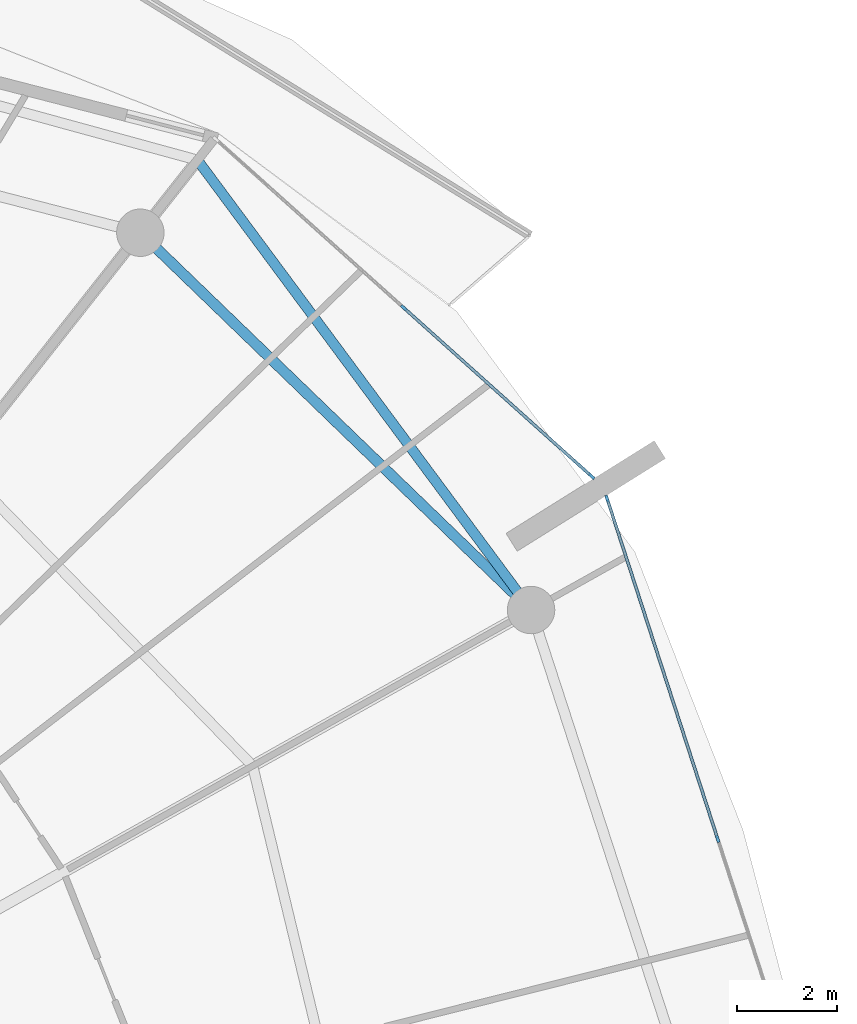
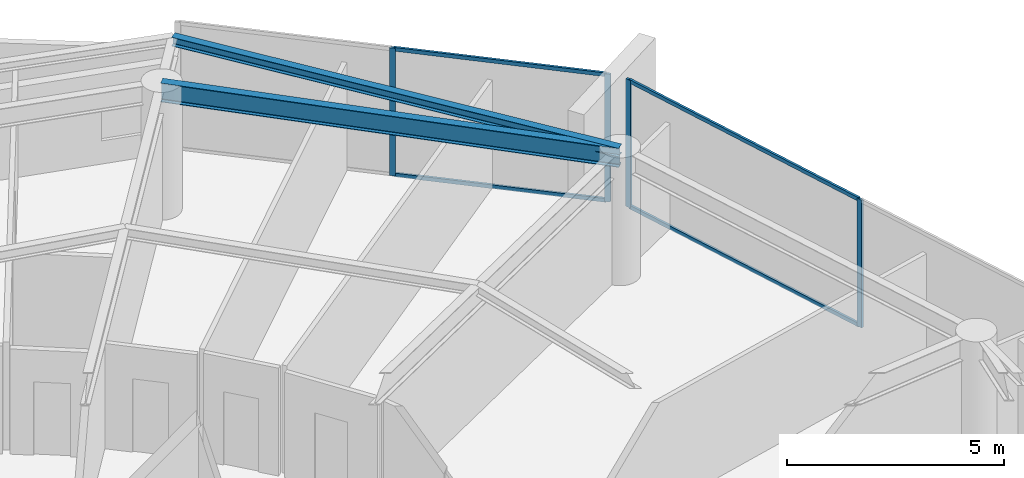
# One storey, part 14 of 29: 8 members, 2 beams, 2 elements without a shape of their own.
"""IFC4 building model written with IfcOpenShell, lengths in metres."""

from ifc_helpers import new_model, si_unit, direction, frame, origin, origin_2d, place, context, subcontext, project, spatial, rectangle, i_section, extrude, material, layer, layer_set, material_profile, profile_set, type_object, element, aggregate, save


model = new_model("IFC4")

# Units and contexts
model_context = context("Model", 3, precision=1e-05, world=origin(), true_north=direction((0.0, 1.0)))
body_context = subcontext(model_context, "Body", "Model", "MODEL_VIEW")
ifc_project = project(units=[si_unit("LENGTHUNIT", "METRE"), si_unit("AREAUNIT", "SQUARE_METRE"), si_unit("VOLUMEUNIT", "CUBIC_METRE"), si_unit("PLANEANGLEUNIT", "RADIAN"), si_unit("MASSUNIT", "GRAM", prefix="KILO")], contexts=[model_context])

# Site, building, storey
site_placement = place(None, origin())
site = spatial("IfcSite", under=ifc_project, at=site_placement, CompositionType="ELEMENT")
building_placement = place(site_placement, origin())
building = spatial("IfcBuilding", under=site, at=building_placement, Name="Kazma Halo Residences", CompositionType="ELEMENT")
storey_placement = place(building_placement, frame((0.0, 0.0, 286.75)))
storey = spatial("IfcBuildingStorey", under=building, at=storey_placement, Name="L72", CompositionType="ELEMENT", Elevation=286.75)

# Beams
ifc_material_1 = material(Name="Steel S355", Category="steel")
ifc_material_profile_1 = material_profile(ifc_material_1, i_section(OverallWidth=0.201904296875, OverallDepth=0.2470703125, WebThickness=0.00732421875, FlangeThickness=0.010986328125, FilletRadius=0.011962890625, at=origin_2d()), Name="W250x49.1")
ifc_profile_set_1 = profile_set([ifc_material_profile_1], Name="Steel S355")
beam_type_1 = type_object("IfcBeamType", Name="BM-BAL-CANT", PredefinedType="BEAM", material=ifc_profile_set_1)
beam_1_placement = place(storey_placement, frame((72.67041015625, 55.81591796875, 3.466552734375), z_axis=(-0.595556062515, 0.803313747176, 0.0), x_axis=(-0.803313747176, -0.595556062515, 0.0)))
element("IfcBeam", 1, at=beam_1_placement, inside=storey, type_object=beam_type_1, Name="L72 wave-balcony lead tie beam 01", PredefinedType="BEAM", context=body_context, shape_type="SweptSolid", body=[
    extrude(i_section(OverallWidth=0.201904296875, OverallDepth=0.2470703125, WebThickness=0.00732421875, FlangeThickness=0.010986328125, FilletRadius=0.011962890625, at=origin_2d()), origin(), (0.0, 0.0, 1.0), 11.213134765625),
])
ifc_material_profile_2 = material_profile(ifc_material_1, i_section(OverallWidth=0.208984375, OverallDepth=0.532958984375, WebThickness=0.01025390625, FlangeThickness=0.015625, FilletRadius=0.01611328125, at=origin_2d()), Name="W530x92")
ifc_profile_set_2 = profile_set([ifc_material_profile_2], Name="Steel S355")
beam_type_2 = type_object("IfcBeamType", Name="BM-SPN-W530", PredefinedType="BEAM", material=ifc_profile_set_2)
beam_2_placement = place(storey_placement, frame((72.67041015625, 55.81591796875, 3.323486328125), z_axis=(-0.719345757929, 0.694652201141, 0.0), x_axis=(-0.694652201141, -0.719345757929, 0.0)))
element("IfcBeam", 2, at=beam_2_placement, inside=storey, type_object=beam_type_2, Name="L72 perimeter ring beam 01", PredefinedType="BEAM", context=body_context, shape_type="SweptSolid", body=[
    extrude(i_section(OverallWidth=0.208984375, OverallDepth=0.532958984375, WebThickness=0.01025390625, FlangeThickness=0.015625, FilletRadius=0.01611328125, at=origin_2d()), origin(), (0.0, 0.0, 1.0), 10.87548828125),
])

# Curtain wall, members
ifc_material_2 = material(Name="Aluminium AW-6063 T6 and Triple-Silver Low-E Glass", Category="aluminium")
ifc_layer = layer(ifc_material_2, 0.139892578125)
ifc_layer_set = layer_set([ifc_layer], Name="Aluminium AW-6063 T6 and Triple-Silver Low-E Glass")
curtain_wall_type = type_object("IfcCurtainWallType", Name="CW-SYS-5", PredefinedType="NOTDEFINED", material=ifc_layer_set)
curtain_wall_1_placement = place(storey_placement, origin())
curtain_wall_1 = element("IfcCurtainWall", 3, at=curtain_wall_1_placement, inside=storey, type_object=curtain_wall_type, Name="L72 unitised curtain wall B01", PredefinedType="NOTDEFINED")
ifc_material_3 = material(Name="Aluminium AW-6063 T6", Category="aluminium")
ifc_material_profile_3 = material_profile(ifc_material_3, rectangle(XDim=0.06005859375, YDim=0.139892578125, at=origin_2d()), Name="CWM-60x140")
ifc_profile_set_3 = profile_set([ifc_material_profile_3], Name="Aluminium AW-6063 T6")
member_type_1 = type_object("IfcMemberType", Name="CW-SYS-5-MUL", PredefinedType="MULLION", material=ifc_profile_set_3)
member_1_placement = place(storey_placement, frame((73.88330078125, 58.491943359375, 0.0), z_axis=(0.0, 0.0, 1.0), x_axis=(-0.667804826958, -0.744336424671, 0.0)))
member_1 = element("IfcMember", 4, at=member_1_placement, type_object=member_type_1, Name="CWS-5 mullion 1", PredefinedType="MULLION", context=body_context, shape_type="SweptSolid", body=[
    extrude(rectangle(XDim=0.06005859375, YDim=0.139892578125, at=origin_2d()), origin(), (0.0, 0.0, 1.0), 3.590087890625),
])
member_2_placement = place(storey_placement, frame((70.121826171875, 61.86669921875, 0.0), z_axis=(0.0, 0.0, 1.0), x_axis=(-0.667804826958, -0.744336424671, 0.0)))
member_2 = element("IfcMember", 5, at=member_2_placement, type_object=member_type_1, Name="CWS-5 mullion 2", PredefinedType="MULLION", context=body_context, shape_type="SweptSolid", body=[
    extrude(rectangle(XDim=0.06005859375, YDim=0.139892578125, at=origin_2d()), origin(), (0.0, 0.0, 1.0), 3.590087890625),
])

curtain_wall_2_placement = place(storey_placement, origin())
curtain_wall_2 = element("IfcCurtainWall", 6, at=curtain_wall_2_placement, inside=storey, type_object=curtain_wall_type, Name="L72 unitised curtain wall B16", PredefinedType="NOTDEFINED")
member_3_placement = place(storey_placement, frame((76.40771484375, 51.230224609375, 0.0), z_axis=(0.0, 0.0, 1.0), x_axis=(-0.951058464359, -0.309010998786, 0.0)))
member_3 = element("IfcMember", 7, at=member_3_placement, type_object=member_type_1, Name="CWS-5 mullion 2", PredefinedType="MULLION", context=body_context, shape_type="SweptSolid", body=[
    extrude(rectangle(XDim=0.06005859375, YDim=0.139892578125, at=origin_2d()), origin(), (0.0, 0.0, 1.0), 3.590087890625),
])
member_4_placement = place(storey_placement, frame((74.1923828125, 58.0478515625, 0.0), z_axis=(0.0, 0.0, 1.0), x_axis=(-0.951058464359, -0.309010998786, 0.0)))
member_4 = element("IfcMember", 8, at=member_4_placement, type_object=member_type_1, Name="CWS-5 mullion 3", PredefinedType="MULLION", context=body_context, shape_type="SweptSolid", body=[
    extrude(rectangle(XDim=0.06005859375, YDim=0.139892578125, at=origin_2d()), origin(), (0.0, 0.0, 1.0), 3.590087890625),
])

# Member
ifc_material_profile_4 = material_profile(ifc_material_3, rectangle(XDim=0.06005859375, YDim=0.10498046875, at=origin_2d()), Name="CWT-60x105")
ifc_profile_set_4 = profile_set([ifc_material_profile_4], Name="Aluminium AW-6063 T6")
member_type_2 = type_object("IfcMemberType", Name="CW-SYS-5-TRN", PredefinedType="USERDEFINED", material=ifc_profile_set_4)
member_5_placement = place(storey_placement, frame((73.861083984375, 58.511962890625, 0.030029296875), z_axis=(-0.744328897483, 0.667813216679, 0.0), x_axis=(-0.667813216679, -0.744328897483, 0.0)))
member_5 = element("IfcMember", 9, at=member_5_placement, type_object=member_type_2, Name="CWS-5 transom 1.1", ObjectType="TRANSOM", PredefinedType="USERDEFINED", context=body_context, shape_type="SweptSolid", body=[
    extrude(rectangle(XDim=0.06005859375, YDim=0.10498046875, at=origin_2d()), origin(), (0.0, 0.0, 1.0), 4.993408203125),
])

member_6_placement = place(storey_placement, frame((73.861083984375, 58.511962890625, 3.56005859375), z_axis=(-0.744328897483, 0.667813216679, 0.0), x_axis=(-0.667813216679, -0.744328897483, 0.0)))
member_6 = element("IfcMember", 10, at=member_6_placement, type_object=member_type_2, Name="CWS-5 transom 1.2", ObjectType="TRANSOM", PredefinedType="USERDEFINED", context=body_context, shape_type="SweptSolid", body=[
    extrude(rectangle(XDim=0.06005859375, YDim=0.10498046875, at=origin_2d()), origin(), (0.0, 0.0, 1.0), 4.993408203125),
])

aggregate(curtain_wall_1, [member_1, member_2, member_5, member_6])

member_7_placement = place(storey_placement, frame((76.3984375, 51.2587890625, 0.030029296875), z_axis=(-0.309027052142, 0.95105324827, 0.0), x_axis=(-0.95105324827, -0.309027052142, 0.0)))
member_7 = element("IfcMember", 11, at=member_7_placement, type_object=member_type_2, Name="CWS-5 transom 2.1", ObjectType="TRANSOM", PredefinedType="USERDEFINED", context=body_context, shape_type="SweptSolid", body=[
    extrude(rectangle(XDim=0.06005859375, YDim=0.10498046875, at=origin_2d()), origin(), (0.0, 0.0, 1.0), 7.108642578125),
])

member_8_placement = place(storey_placement, frame((76.3984375, 51.2587890625, 3.56005859375), z_axis=(-0.309027052142, 0.95105324827, 0.0), x_axis=(-0.95105324827, -0.309027052142, 0.0)))
member_8 = element("IfcMember", 12, at=member_8_placement, type_object=member_type_2, Name="CWS-5 transom 2.2", ObjectType="TRANSOM", PredefinedType="USERDEFINED", context=body_context, shape_type="SweptSolid", body=[
    extrude(rectangle(XDim=0.06005859375, YDim=0.10498046875, at=origin_2d()), origin(), (0.0, 0.0, 1.0), 7.108642578125),
])

aggregate(curtain_wall_2, [member_3, member_4, member_7, member_8])

save(model, "model.ifc")
